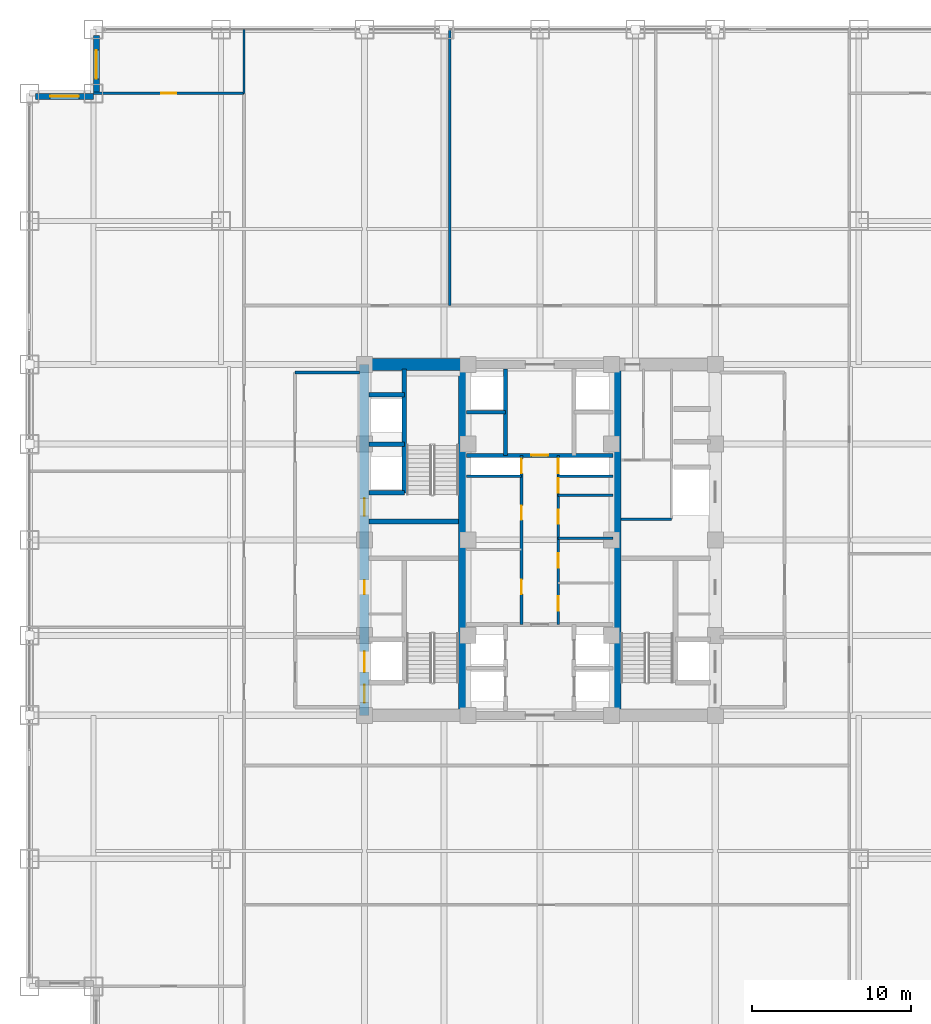
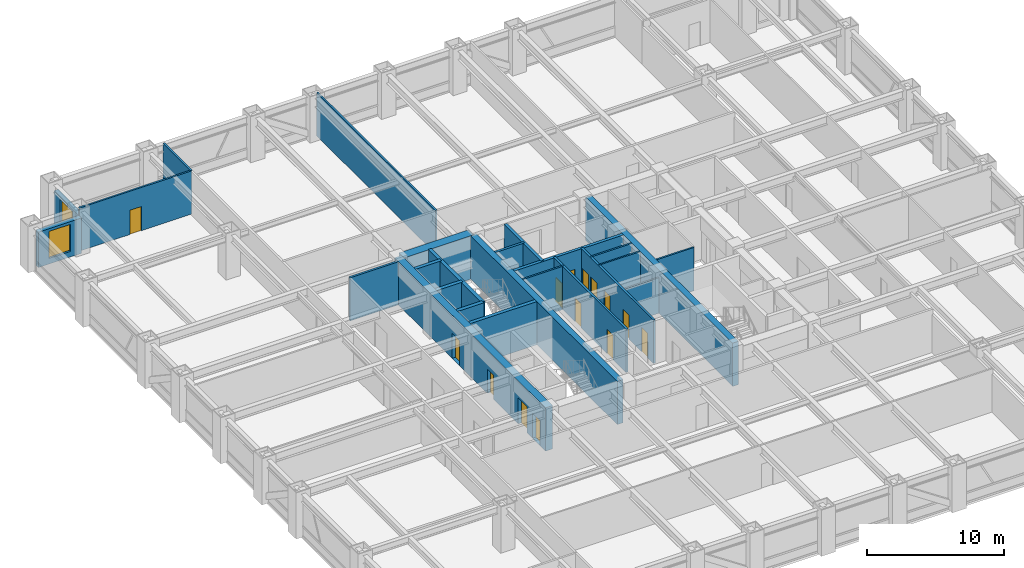
# One storey, part 25 of 28: 25 walls, 14 doors, 2 windows, 16 openings.
"""IFC4 building model written with IfcOpenShell, lengths in metres."""

from ifc_helpers import new_model, si_unit, direction, frame, frame_2d, origin, place, context, subcontext, project, spatial, rectangle, extrude, source, transform, mapped, material, layer, layer_set, type_object, element, fill, save


model = new_model("IFC4")

# Units and contexts
model_context = context("Model", 3, precision=1e-05, world=origin(), true_north=direction((0.0, 1.0)))
body_context = subcontext(model_context, "Body", "Model", "MODEL_VIEW")
ifc_project = project(units=[si_unit("LENGTHUNIT", "METRE"), si_unit("AREAUNIT", "SQUARE_METRE"), si_unit("VOLUMEUNIT", "CUBIC_METRE"), si_unit("PLANEANGLEUNIT", "RADIAN"), si_unit("MASSUNIT", "GRAM", prefix="KILO")], contexts=[model_context])

# Site, building, storey
site_placement = place(None, origin())
site = spatial("IfcSite", under=ifc_project, at=site_placement, CompositionType="ELEMENT")
building_placement = place(site_placement, origin())
building = spatial("IfcBuilding", under=site, at=building_placement, Name="Khorayat Bourse Tower", CompositionType="ELEMENT")
storey_placement = place(building_placement, frame((0.0, 0.0, 116.0)))
storey = spatial("IfcBuildingStorey", under=building, at=storey_placement, Name="L26", CompositionType="ELEMENT", Elevation=116.0)

# Wall, openings, doors
ifc_material_1 = material(Name="Concrete C60/75", Category="concrete")
ifc_layer_1 = layer(ifc_material_1, 0.60009765625)
ifc_layer_set_1 = layer_set([ifc_layer_1], Name="Concrete C60/75")
wall_type_1 = type_object("IfcWallType", Name="WAL-CORE-600", PredefinedType="SHEAR", material=ifc_layer_set_1)
shared_shape_1 = source(origin(), body_context, "Body", "SweptSolid", [
    extrude(rectangle(XDim=22.0, YDim=0.60009765625, at=frame_2d((11.0, 0.0))), origin(), (0.0, 0.0, 1.0), 3.840087890625),
])
wall_1_placement = place(storey_placement, frame((-11.0, -11.0, 0.0), z_axis=(0.0, 0.0, 1.0), x_axis=(0.0, 1.0, 0.0)))
wall_1 = element("IfcWall", 1, at=wall_1_placement, inside=storey, type_object=wall_type_1, Name="L26 Core Shear Wall CORE-W", PredefinedType="SHEAR", context=body_context, shape_type="MappedRepresentation", body=[
    mapped(shared_shape_1, transform((0.0, 0.0, 0.0), scale=1.0)),
])
shared_shape_2 = source(origin(), body_context, "Body", "SweptSolid", [
    extrude(rectangle(XDim=1.10009765625, YDim=2.199951171875, at=frame_2d((0.550048828125, 1.10009765625))), frame((0.0, 0.31005859375, 0.0), z_axis=(0.0, -1.0, 0.0), x_axis=(1.0, 0.0, 0.0)), (0.0, 0.0, 1.0), 0.6201171875),
])
opening_1_placement = place(wall_1_placement, frame((0.800048828125, 0.0, 0.0)))
opening_1 = element("IfcOpeningElement", 2, at=opening_1_placement, cuts=wall_1, Name="Opening DI-01", PredefinedType="OPENING", context=body_context, shape_type="MappedRepresentation", body=[
    mapped(shared_shape_2, transform((0.0, 0.0, 0.0), scale=1.0)),
])
opening_2_placement = place(wall_1_placement, frame((12.5, 0.0, 0.0)))
opening_2 = element("IfcOpeningElement", 3, at=opening_2_placement, cuts=wall_1, Name="Opening DI-01", PredefinedType="OPENING", context=body_context, shape_type="MappedRepresentation", body=[
    mapped(shared_shape_2, transform((0.0, 0.0, 0.0), scale=1.0)),
])
shared_shape_3 = source(origin(), body_context, "Body", "SweptSolid", [
    extrude(rectangle(XDim=0.89990234375, YDim=2.14990234375, at=frame_2d((0.449951171875, 1.074951171875))), frame((0.0, 0.31005859375, 0.0), z_axis=(0.0, -1.0, 0.0), x_axis=(1.0, 0.0, 0.0)), (0.0, 0.0, 1.0), 0.6201171875),
])
opening_3_placement = place(wall_1_placement, frame((7.574951171875, 0.0, 0.0)))
opening_3 = element("IfcOpeningElement", 4, at=opening_3_placement, cuts=wall_1, Name="Opening DI-06", PredefinedType="OPENING", context=body_context, shape_type="MappedRepresentation", body=[
    mapped(shared_shape_3, transform((0.0, 0.0, 0.0), scale=1.0)),
])
shared_shape_4 = source(origin(), body_context, "Body", "SweptSolid", [
    extrude(rectangle(XDim=1.300048828125, YDim=2.300048828125, at=frame_2d((0.64990234375, 1.14990234375))), frame((0.0, 0.31005859375, 0.0), z_axis=(0.0, -1.0, 0.0), x_axis=(1.0, 0.0, 0.0)), (0.0, 0.0, 1.0), 0.6201171875),
])
opening_4_placement = place(wall_1_placement, frame((2.699951171875, 0.0, 0.0)))
opening_4 = element("IfcOpeningElement", 5, at=opening_4_placement, cuts=wall_1, Name="Opening LD-02", PredefinedType="OPENING", context=body_context, shape_type="MappedRepresentation", body=[
    mapped(shared_shape_4, transform((0.0, 0.0, 0.0), scale=1.0)),
])
ifc_material_2 = material(Name="Fire-rated steel acoustic leaf", Category="steel")
door_type_1 = type_object("IfcDoorType", Name="DR-INT-STAIR-1100", OperationType="NOTDEFINED", PredefinedType="DOOR", material=ifc_material_2)
shared_shape_5 = source(origin(), body_context, "Body", "SweptSolid", [
    extrude(rectangle(XDim=1.10009765625, YDim=2.199951171875, at=frame_2d((0.550048828125, 1.10009765625))), frame((0.0, 0.02490234375, 0.0), z_axis=(0.0, -1.0, 0.0), x_axis=(1.0, 0.0, 0.0)), (0.0, 0.0, 1.0), 0.050048828125),
])
door_1_placement = place(opening_1_placement, origin())
door_1 = element("IfcDoor", 6, at=door_1_placement, inside=storey, type_object=door_type_1, Name="L26 Exit Stair 1 Door", OperationType="SINGLE_SWING_RIGHT", OverallHeight=2.199951171875, OverallWidth=1.10009765625, PredefinedType="DOOR", context=body_context, shape_type="MappedRepresentation", body=[
    mapped(shared_shape_5, transform((0.0, 0.0, 0.0), scale=1.0)),
])
fill(opening_1, door_1)
door_2_placement = place(opening_2_placement, origin())
door_2 = element("IfcDoor", 7, at=door_2_placement, inside=storey, type_object=door_type_1, Name="L26 Exit Stair 2 Door", OperationType="SINGLE_SWING_RIGHT", OverallHeight=2.199951171875, OverallWidth=1.10009765625, PredefinedType="DOOR", context=body_context, shape_type="MappedRepresentation", body=[
    mapped(shared_shape_5, transform((0.0, 0.0, 0.0), scale=1.0)),
])
fill(opening_2, door_2)
ifc_material_3 = material(Name="Moisture-resistant laminate washroom door")
door_type_2 = type_object("IfcDoorType", Name="DR-INT-WC-900", OperationType="NOTDEFINED", PredefinedType="DOOR", material=ifc_material_3)
shared_shape_6 = source(origin(), body_context, "Body", "SweptSolid", [
    extrude(rectangle(XDim=0.89990234375, YDim=2.14990234375, at=frame_2d((0.449951171875, 1.074951171875))), frame((0.0, 0.02490234375, 0.0), z_axis=(0.0, -1.0, 0.0), x_axis=(1.0, 0.0, 0.0)), (0.0, 0.0, 1.0), 0.050048828125),
])
door_3_placement = place(opening_3_placement, origin())
door_3 = element("IfcDoor", 8, at=door_3_placement, inside=storey, type_object=door_type_2, Name="L26 UPS Switch Plant Room Door", OperationType="SINGLE_SWING_RIGHT", OverallHeight=2.14990234375, OverallWidth=0.89990234375, PredefinedType="DOOR", context=body_context, shape_type="MappedRepresentation", body=[
    mapped(shared_shape_6, transform((0.0, 0.0, 0.0), scale=1.0)),
])
fill(opening_3, door_3)
ifc_material_4 = material(Name="Fire-rated stainless-steel sliding landing door", Category="steel")
door_type_3 = type_object("IfcDoorType", Name="DR-LIFT-FF-1300", OperationType="NOTDEFINED", PredefinedType="DOOR", material=ifc_material_4)
shared_shape_7 = source(origin(), body_context, "Body", "SweptSolid", [
    extrude(rectangle(XDim=1.300048828125, YDim=2.300048828125, at=frame_2d((0.64990234375, 1.14990234375))), frame((0.0, 0.02490234375, 0.0), z_axis=(0.0, -1.0, 0.0), x_axis=(1.0, 0.0, 0.0)), (0.0, 0.0, 1.0), 0.050048828125),
])
door_4_placement = place(opening_4_placement, origin())
door_4 = element("IfcDoor", 9, at=door_4_placement, inside=storey, type_object=door_type_3, Name="L26 Lift FFL-01 Sliding Landing Door", OperationType="SLIDING_TO_LEFT", OverallHeight=2.300048828125, OverallWidth=1.300048828125, PredefinedType="DOOR", context=body_context, shape_type="MappedRepresentation", body=[
    mapped(shared_shape_7, transform((0.0, 0.0, 0.0), scale=1.0)),
])
fill(opening_4, door_4)

# Walls
ifc_material_5 = material(Name="Concrete C52/65", Category="concrete")
ifc_layer_2 = layer(ifc_material_5, 0.5)
ifc_layer_set_2 = layer_set([ifc_layer_2], Name="Concrete C52/65")
wall_type_2 = type_object("IfcWallType", Name="WAL-CORE-500", PredefinedType="SHEAR", material=ifc_layer_set_2)
shared_shape_8 = source(origin(), body_context, "Body", "SweptSolid", [
    extrude(rectangle(XDim=21.39990234375, YDim=0.5, at=frame_2d((10.699951171875, 0.0))), origin(), (0.0, 0.0, 1.0), 3.840087890625),
])
for number, where, z_axis, x_axis, name in (
    (10, (-4.85009765625, -10.699951171875, 0.0), (0.0, 0.0, 1.0), (0.0, 1.0, 0.0), "L26 Core Shear Wall PIER-W"),
    (11, (4.85009765625, -10.699951171875, 0.0), (0.0, 0.0, 1.0), (0.0, 1.0, 0.0), "L26 Core Shear Wall PIER-E"),
):
    element("IfcWall", number, at=place(storey_placement, frame(where, z_axis=z_axis, x_axis=x_axis)), inside=storey, type_object=wall_type_2, Name=name, PredefinedType="SHEAR", context=body_context, shape_type="MappedRepresentation", body=[
        mapped(shared_shape_8, transform((0.0, 0.0, 0.0), scale=1.0)),
    ])
ifc_material_6 = material(Name="Concrete C72/90", Category="concrete")
ifc_layer_3 = layer(ifc_material_6, 0.75)
ifc_layer_set_3 = layer_set([ifc_layer_3], Name="Concrete C72/90")
wall_type_3 = type_object("IfcWallType", Name="WAL-CORE-750", PredefinedType="SHEAR", material=ifc_layer_set_3)
shared_shape_9 = source(origin(), body_context, "Body", "SweptSolid", [
    extrude(rectangle(XDim=5.849853515625, YDim=0.75, at=frame_2d((2.9248046875, 0.0))), origin(), (0.0, 0.0, 1.0), 3.840087890625),
])
wall_2_placement = place(storey_placement, frame((-10.699951171875, 11.0, 0.0), z_axis=(0.0, 0.0, 1.0), x_axis=(1.0, 0.0, 0.0)))
element("IfcWall", 12, at=wall_2_placement, inside=storey, type_object=wall_type_3, Name="L26 Core Shear Wall PIER-WN", PredefinedType="SHEAR", context=body_context, shape_type="MappedRepresentation", body=[
    mapped(shared_shape_9, transform((0.0, 0.0, 0.0), scale=1.0)),
])
ifc_material_7 = material(Name="Concrete C50/60", Category="concrete")
ifc_layer_4 = layer(ifc_material_7, 0.300048828125)
ifc_layer_set_4 = layer_set([ifc_layer_4], Name="Concrete C50/60")
wall_type_4 = type_object("IfcWallType", Name="WAL-SHAFT-300", PredefinedType="SHEAR", material=ifc_layer_set_4)
shared_shape_10 = source(origin(), body_context, "Body", "SweptSolid", [
    extrude(rectangle(XDim=5.599853515625, YDim=0.300048828125, at=frame_2d((2.7998046875, 0.0))), origin(), (0.0, 0.0, 1.0), 3.840087890625),
])
wall_3_placement = place(storey_placement, frame((-10.699951171875, 1.14990234375, 0.0), z_axis=(0.0, 0.0, 1.0), x_axis=(1.0, 0.0, 0.0)))
element("IfcWall", 13, at=wall_3_placement, inside=storey, type_object=wall_type_4, Name="L26 Core Shear Wall ST2-DIV", PredefinedType="SHEAR", context=body_context, shape_type="MappedRepresentation", body=[
    mapped(shared_shape_10, transform((0.0, 0.0, 0.0), scale=1.0)),
])

# Wall, opening, window
ifc_material_8 = material(Name="Precast concrete C45/55", Category="concrete")
ifc_layer_5 = layer(ifc_material_8, 0.3798828125)
ifc_layer_set_5 = layer_set([ifc_layer_5], Name="Precast concrete C45/55")
wall_type_5 = type_object("IfcWallType", Name="WAL-EXT-STONE-380", PredefinedType="STANDARD", material=ifc_layer_set_5)
shared_shape_11 = source(origin(), body_context, "Body", "SweptSolid", [
    extrude(rectangle(XDim=3.6201171875, YDim=0.3798828125, at=frame_2d((1.81005859375, 0.0))), origin(), (0.0, 0.0, 1.0), 3.14501953125),
])
wall_4_placement = place(storey_placement, frame((-27.81005859375, 28.0, 0.0), z_axis=(0.0, 0.0, 1.0), x_axis=(0.0, 1.0, 0.0)))
wall_4 = element("IfcWall", 14, at=wall_4_placement, inside=storey, type_object=wall_type_5, Name="L26 Re-Entrant Notch Limestone Wall NW-V", PredefinedType="STANDARD", context=body_context, shape_type="MappedRepresentation", body=[
    mapped(shared_shape_11, transform((0.0, 0.0, 0.0), scale=1.0)),
])
shared_shape_12 = source(origin(), body_context, "Body", "SweptSolid", [
    extrude(rectangle(XDim=1.800048828125, YDim=2.39990234375, at=frame_2d((0.89990234375, 1.199951171875))), frame((0.0, 0.199951171875, 0.0), z_axis=(0.0, -1.0, 0.0), x_axis=(1.0, 0.0, 0.0)), (0.0, 0.0, 1.0), 0.39990234375),
])
opening_5_placement = place(wall_4_placement, frame((0.909912109375, 0.0, 0.5)))
opening_5 = element("IfcOpeningElement", 15, at=opening_5_placement, cuts=wall_4, Name="Opening WN-04", PredefinedType="OPENING", context=body_context, shape_type="MappedRepresentation", body=[
    mapped(shared_shape_12, transform((0.0, 0.0, 0.0), scale=1.0)),
])
ifc_material_9 = material(Name="Low-E acoustic laminated double glazing", Category="glass")
window_type = type_object("IfcWindowType", Name="WIN-NOTCH-1800x2400", PartitioningType="SINGLE_PANEL", PredefinedType="WINDOW", material=ifc_material_9)
shared_shape_13 = source(origin(), body_context, "Body", "SweptSolid", [
    extrude(rectangle(XDim=1.800048828125, YDim=2.39990234375, at=frame_2d((0.89990234375, 1.199951171875))), frame((0.0, 0.030029296875, 0.0), z_axis=(0.0, -1.0, 0.0), x_axis=(1.0, 0.0, 0.0)), (0.0, 0.0, 1.0), 0.06005859375),
])
window_1_placement = place(opening_5_placement, origin())
window_1 = element("IfcWindow", 16, at=window_1_placement, inside=storey, type_object=window_type, Name="L26 Facade Window 1", OverallHeight=2.39990234375, OverallWidth=1.800048828125, PartitioningType="SINGLE_PANEL", PredefinedType="WINDOW", context=body_context, shape_type="MappedRepresentation", body=[
    mapped(shared_shape_13, transform((0.0, 0.0, 0.0), scale=1.0)),
])
fill(opening_5, window_1)

wall_5_placement = place(storey_placement, frame((-28.0, 27.81005859375, 0.0), z_axis=(0.0, 0.0, 1.0), x_axis=(-1.0, 0.0, 0.0)))
wall_5 = element("IfcWall", 17, at=wall_5_placement, inside=storey, type_object=wall_type_5, Name="L26 Re-Entrant Notch Limestone Wall NW-H", PredefinedType="STANDARD", context=body_context, shape_type="MappedRepresentation", body=[
    mapped(shared_shape_11, transform((0.0, 0.0, 0.0), scale=1.0)),
])
opening_6_placement = place(wall_5_placement, frame((0.909912109375, 0.0, 0.5)))
opening_6 = element("IfcOpeningElement", 18, at=opening_6_placement, cuts=wall_5, Name="Opening WN-04", PredefinedType="OPENING", context=body_context, shape_type="MappedRepresentation", body=[
    mapped(shared_shape_12, transform((0.0, 0.0, 0.0), scale=1.0)),
])
window_2_placement = place(opening_6_placement, origin())
window_2 = element("IfcWindow", 19, at=window_2_placement, inside=storey, type_object=window_type, Name="L26 Facade Window 1", OverallHeight=2.39990234375, OverallWidth=1.800048828125, PartitioningType="SINGLE_PANEL", PredefinedType="WINDOW", context=body_context, shape_type="MappedRepresentation", body=[
    mapped(shared_shape_13, transform((0.0, 0.0, 0.0), scale=1.0)),
])
fill(opening_6, window_2)

# Walls
shared_shape_14 = source(origin(), body_context, "Body", "SweptSolid", [
    extrude(rectangle(XDim=2.199951171875, YDim=0.300048828125, at=frame_2d((1.10009765625, 0.0))), origin(), (0.0, 0.0, 1.0), 3.840087890625),
])
for number, where, z_axis, x_axis, name in (
    (20, (-10.699951171875, 2.949951171875, 0.0), (0.0, 0.0, 1.0), (1.0, 0.0, 0.0), "L26 Partition WAL-L26-WPIER-H1S"),
    (21, (-10.699951171875, 6.0, 0.0), (0.0, 0.0, 1.0), (1.0, 0.0, 0.0), "L26 Partition WAL-L26-WPIER-H12"),
    (22, (-10.699951171875, 9.10009765625, 0.0), (0.0, 0.0, 1.0), (1.0, 0.0, 0.0), "L26 Partition WAL-L26-WPIER-H2N"),
):
    element("IfcWall", number, at=place(storey_placement, frame(where, z_axis=z_axis, x_axis=x_axis)), inside=storey, type_object=wall_type_4, Name=name, PredefinedType="SHEAR", context=body_context, shape_type="MappedRepresentation", body=[
        mapped(shared_shape_14, transform((0.0, 0.0, 0.0), scale=1.0)),
    ])
shared_shape_15 = source(origin(), body_context, "Body", "SweptSolid", [
    extrude(rectangle(XDim=7.75, YDim=0.300048828125, at=frame_2d((3.875, 0.0))), origin(), (0.0, 0.0, 1.0), 3.840087890625),
])
wall_6_placement = place(storey_placement, frame((-8.5, 2.949951171875, 0.0), z_axis=(0.0, 0.0, 1.0), x_axis=(0.0, 1.0, 0.0)))
element("IfcWall", 23, at=wall_6_placement, inside=storey, type_object=wall_type_4, Name="L26 Partition WAL-L26-WPIER-ST2S", PredefinedType="SHEAR", context=body_context, shape_type="MappedRepresentation", body=[
    mapped(shared_shape_15, transform((0.0, 0.0, 0.0), scale=1.0)),
])
ifc_material_10 = material(Name="Moisture-resistant masonry partition", Category="masonry")
ifc_layer_6 = layer(ifc_material_10, 0.139892578125)
ifc_layer_set_6 = layer_set([ifc_layer_6], Name="Moisture-resistant masonry partition")
wall_type_6 = type_object("IfcWallType", Name="WAL-PART-WET-140", PredefinedType="PARTITIONING", material=ifc_layer_set_6)
shared_shape_16 = source(origin(), body_context, "Body", "SweptSolid", [
    extrude(rectangle(XDim=3.14990234375, YDim=0.139892578125, at=frame_2d((1.574951171875, 0.0))), origin(), (0.0, 0.0, 1.0), 3.840087890625),
])
wall_7_placement = place(storey_placement, frame((5.10009765625, 1.300048828125, 0.0), z_axis=(0.0, 0.0, 1.0), x_axis=(1.0, 0.0, 0.0)))
element("IfcWall", 24, at=wall_7_placement, inside=storey, type_object=wall_type_6, Name="L26 Partition WAL-L26-ECORE-S", PredefinedType="PARTITIONING", context=body_context, shape_type="MappedRepresentation", body=[
    mapped(shared_shape_16, transform((0.0, 0.0, 0.0), scale=1.0)),
])
ifc_material_11 = material(Name="Gypsum plasterboard acoustic stud wall")
ifc_layer_7 = layer(ifc_material_11, 0.179931640625)
ifc_layer_set_7 = layer_set([ifc_layer_7], Name="Gypsum plasterboard acoustic stud wall")
wall_type_7 = type_object("IfcWallType", Name="WAL-PART-CORR-180", PredefinedType="PARTITIONING", material=ifc_layer_set_7)
shared_shape_17 = source(origin(), body_context, "Body", "SweptSolid", [
    extrude(rectangle(XDim=4.050048828125, YDim=0.179931640625, at=frame_2d((2.02490234375, 0.0))), origin(), (0.0, 0.0, 1.0), 3.840087890625),
])
wall_8_placement = place(storey_placement, frame((-15.35009765625, 10.5, 0.0), z_axis=(0.0, 0.0, 1.0), x_axis=(1.0, 0.0, 0.0)))
element("IfcWall", 25, at=wall_8_placement, inside=storey, type_object=wall_type_7, Name="L26 Partition WAL-L26-WLOB-N", PredefinedType="PARTITIONING", context=body_context, shape_type="MappedRepresentation", body=[
    mapped(shared_shape_17, transform((0.0, 0.0, 0.0), scale=1.0)),
])
ifc_material_12 = material(Name="Gypsum plasterboard twin-frame partition")
ifc_layer_8 = layer(ifc_material_12, 0.14990234375)
ifc_layer_set_8 = layer_set([ifc_layer_8], Name="Gypsum plasterboard twin-frame partition")
wall_type_8 = type_object("IfcWallType", Name="WAL-PART-SUITE-150", PredefinedType="PARTITIONING", material=ifc_layer_set_8)
shared_shape_18 = source(origin(), body_context, "Body", "SweptSolid", [
    extrude(rectangle(XDim=3.4501953125, YDim=0.14990234375, at=frame_2d((1.72509765625, 0.0))), origin(), (0.0, 0.0, 1.0), 3.840087890625),
])
for number, where, z_axis, x_axis, name in (
    (26, (-4.60009765625, 4.0, 0.0), (0.0, 0.0, 1.0), (1.0, 0.0, 0.0), "L26 Partition WAL-L26-CRSW-S"),
    (27, (1.14990234375, 4.0, 0.0), (0.0, 0.0, 1.0), (1.0, 0.0, 0.0), "L26 Partition WAL-L26-CRSE-S"),
):
    element("IfcWall", number, at=place(storey_placement, frame(where, z_axis=z_axis, x_axis=x_axis)), inside=storey, type_object=wall_type_8, Name=name, PredefinedType="PARTITIONING", context=body_context, shape_type="MappedRepresentation", body=[
        mapped(shared_shape_18, transform((0.0, 0.0, 0.0), scale=1.0)),
    ])
shared_shape_19 = source(origin(), body_context, "Body", "SweptSolid", [
    extrude(rectangle(XDim=5.39990234375, YDim=0.25, at=frame_2d((2.699951171875, 0.0))), origin(), (0.0, 0.0, 1.0), 3.840087890625),
])
wall_9_placement = place(storey_placement, frame((-2.14990234375, 5.300048828125, 0.0), z_axis=(0.0, 0.0, 1.0), x_axis=(0.0, 1.0, 0.0)))
element("IfcWall", 28, at=wall_9_placement, inside=storey, type_object=wall_type_4, Name="L26 Partition WAL-L26-B2-W", PredefinedType="SHEAR", context=body_context, shape_type="MappedRepresentation", body=[
    mapped(shared_shape_19, transform((0.0, 0.0, 0.0), scale=1.0)),
])
shared_shape_20 = source(origin(), body_context, "Body", "SweptSolid", [
    extrude(rectangle(XDim=2.4501953125, YDim=0.199951171875, at=frame_2d((1.22509765625, 0.0))), origin(), (0.0, 0.0, 1.0), 3.840087890625),
])
wall_10_placement = place(storey_placement, frame((-4.60009765625, 8.0, 0.0), z_axis=(0.0, 0.0, 1.0), x_axis=(1.0, 0.0, 0.0)))
element("IfcWall", 29, at=wall_10_placement, inside=storey, type_object=wall_type_4, Name="L26 Partition WAL-L26-B2-MW", PredefinedType="SHEAR", context=body_context, shape_type="MappedRepresentation", body=[
    mapped(shared_shape_20, transform((0.0, 0.0, 0.0), scale=1.0)),
])

# Wall, opening, door
shared_shape_21 = source(origin(), body_context, "Body", "SweptSolid", [
    extrude(rectangle(XDim=9.2001953125, YDim=0.25, at=frame_2d((4.60009765625, 0.0))), origin(), (0.0, 0.0, 1.0), 3.840087890625),
])
wall_11_placement = place(storey_placement, frame((-4.60009765625, 5.300048828125, 0.0), z_axis=(0.0, 0.0, 1.0), x_axis=(1.0, 0.0, 0.0)))
wall_11 = element("IfcWall", 30, at=wall_11_placement, inside=storey, type_object=wall_type_4, Name="L26 Partition WAL-L26-B2-S", PredefinedType="SHEAR", context=body_context, shape_type="MappedRepresentation", body=[
    mapped(shared_shape_21, transform((0.0, 0.0, 0.0), scale=1.0)),
])
shared_shape_22 = source(origin(), body_context, "Body", "SweptSolid", [
    extrude(rectangle(XDim=1.050048828125, YDim=2.199951171875, at=frame_2d((0.52490234375, 1.10009765625))), frame((0.0, 0.135009765625, 0.0), z_axis=(0.0, -1.0, 0.0), x_axis=(1.0, 0.0, 0.0)), (0.0, 0.0, 1.0), 0.27001953125),
])
opening_7_placement = place(wall_11_placement, frame((4.074951171875, 0.0, 0.0)))
opening_7 = element("IfcOpeningElement", 31, at=opening_7_placement, cuts=wall_11, Name="Opening DI-04", PredefinedType="OPENING", context=body_context, shape_type="MappedRepresentation", body=[
    mapped(shared_shape_22, transform((0.0, 0.0, 0.0), scale=1.0)),
])
ifc_material_13 = material(Name="Fire-rated oak veneer suite entrance door")
door_type_4 = type_object("IfcDoorType", Name="DR-INT-SUITE-1050", OperationType="NOTDEFINED", PredefinedType="DOOR", material=ifc_material_13)
shared_shape_23 = source(origin(), body_context, "Body", "SweptSolid", [
    extrude(rectangle(XDim=1.050048828125, YDim=2.199951171875, at=frame_2d((0.52490234375, 1.10009765625))), frame((0.0, 0.02490234375, 0.0), z_axis=(0.0, -1.0, 0.0), x_axis=(1.0, 0.0, 0.0)), (0.0, 0.0, 1.0), 0.050048828125),
])
door_5_placement = place(opening_7_placement, origin())
door_5 = element("IfcDoor", 32, at=door_5_placement, inside=storey, type_object=door_type_4, Name="L26 Core Spine North Door", OperationType="SINGLE_SWING_RIGHT", OverallHeight=2.199951171875, OverallWidth=1.050048828125, PredefinedType="DOOR", context=body_context, shape_type="MappedRepresentation", body=[
    mapped(shared_shape_23, transform((0.0, 0.0, 0.0), scale=1.0)),
])
fill(opening_7, door_5)

# Wall, openings, doors
shared_shape_24 = source(origin(), body_context, "Body", "SweptSolid", [
    extrude(rectangle(XDim=10.60009765625, YDim=0.179931640625, at=frame_2d((5.300048828125, 0.0))), origin(), (0.0, 0.0, 1.0), 3.840087890625),
])
wall_12_placement = place(storey_placement, frame((-1.14990234375, -5.300048828125, 0.0), z_axis=(0.0, 0.0, 1.0), x_axis=(0.0, 1.0, 0.0)))
wall_12 = element("IfcWall", 33, at=wall_12_placement, inside=storey, type_object=wall_type_7, Name="L26 Partition WAL-L26-CMW-L", PredefinedType="PARTITIONING", context=body_context, shape_type="MappedRepresentation", body=[
    mapped(shared_shape_24, transform((0.0, 0.0, 0.0), scale=1.0)),
])
shared_shape_25 = source(origin(), body_context, "Body", "SweptSolid", [
    extrude(rectangle(XDim=0.89990234375, YDim=2.14990234375, at=frame_2d((0.449951171875, 1.074951171875))), frame((0.0, 0.099853515625, 0.0), z_axis=(0.0, -1.0, 0.0), x_axis=(1.0, 0.0, 0.0)), (0.0, 0.0, 1.0), 0.199951171875),
])
opening_8_placement = place(wall_12_placement, frame((1.89990234375, 0.0, 0.0)))
opening_8 = element("IfcOpeningElement", 34, at=opening_8_placement, cuts=wall_12, Name="Opening DI-06", PredefinedType="OPENING", context=body_context, shape_type="MappedRepresentation", body=[
    mapped(shared_shape_25, transform((0.0, 0.0, 0.0), scale=1.0)),
])
opening_9_placement = place(wall_12_placement, frame((6.550048828125, 0.0, 0.0)))
opening_9 = element("IfcOpeningElement", 35, at=opening_9_placement, cuts=wall_12, Name="Opening DI-06", PredefinedType="OPENING", context=body_context, shape_type="MappedRepresentation", body=[
    mapped(shared_shape_25, transform((0.0, 0.0, 0.0), scale=1.0)),
])
opening_10_placement = place(wall_12_placement, frame((9.47509765625, 0.0, 0.0)))
opening_10 = element("IfcOpeningElement", 36, at=opening_10_placement, cuts=wall_12, Name="Opening DI-06", PredefinedType="OPENING", context=body_context, shape_type="MappedRepresentation", body=[
    mapped(shared_shape_25, transform((0.0, 0.0, 0.0), scale=1.0)),
])
door_6_placement = place(opening_8_placement, origin())
door_6 = element("IfcDoor", 37, at=door_6_placement, inside=storey, type_object=door_type_2, Name="L26 Male Core Washroom Door", OperationType="SINGLE_SWING_RIGHT", OverallHeight=2.14990234375, OverallWidth=0.89990234375, PredefinedType="DOOR", context=body_context, shape_type="MappedRepresentation", body=[
    mapped(shared_shape_6, transform((0.0, 0.0, 0.0), scale=1.0)),
])
fill(opening_8, door_6)
door_7_placement = place(opening_9_placement, origin())
door_7 = element("IfcDoor", 38, at=door_7_placement, inside=storey, type_object=door_type_2, Name="L26 Chilled Water Riser Plant Room Door", OperationType="SINGLE_SWING_LEFT", OverallHeight=2.14990234375, OverallWidth=0.89990234375, PredefinedType="DOOR", context=body_context, shape_type="MappedRepresentation", body=[
    mapped(shared_shape_6, transform((0.0, 0.0, 0.0), scale=1.0)),
])
fill(opening_9, door_7)
door_8_placement = place(opening_10_placement, origin())
door_8 = element("IfcDoor", 39, at=door_8_placement, inside=storey, type_object=door_type_2, Name="L26 West Core Riser Door", OperationType="SINGLE_SWING_LEFT", OverallHeight=2.14990234375, OverallWidth=0.89990234375, PredefinedType="DOOR", context=body_context, shape_type="MappedRepresentation", body=[
    mapped(shared_shape_6, transform((0.0, 0.0, 0.0), scale=1.0)),
])
fill(opening_10, door_8)

wall_13_placement = place(storey_placement, frame((1.14990234375, -5.300048828125, 0.0), z_axis=(0.0, 0.0, 1.0), x_axis=(0.0, 1.0, 0.0)))
wall_13 = element("IfcWall", 40, at=wall_13_placement, inside=storey, type_object=wall_type_7, Name="L26 Partition WAL-L26-CME-L", PredefinedType="PARTITIONING", context=body_context, shape_type="MappedRepresentation", body=[
    mapped(shared_shape_24, transform((0.0, 0.0, 0.0), scale=1.0)),
])
opening_11_placement = place(wall_13_placement, frame((0.85009765625, 0.0, 0.0)))
opening_11 = element("IfcOpeningElement", 41, at=opening_11_placement, cuts=wall_13, Name="Opening DI-06", PredefinedType="OPENING", context=body_context, shape_type="MappedRepresentation", body=[
    mapped(shared_shape_25, transform((0.0, 0.0, 0.0), scale=1.0)),
])
opening_12_placement = place(wall_13_placement, frame((3.550048828125, 0.0, 0.0)))
opening_12 = element("IfcOpeningElement", 42, at=opening_12_placement, cuts=wall_13, Name="Opening DI-06", PredefinedType="OPENING", context=body_context, shape_type="MappedRepresentation", body=[
    mapped(shared_shape_25, transform((0.0, 0.0, 0.0), scale=1.0)),
])
opening_13_placement = place(wall_13_placement, frame((6.300048828125, 0.0, 0.0)))
opening_13 = element("IfcOpeningElement", 43, at=opening_13_placement, cuts=wall_13, Name="Opening DI-06", PredefinedType="OPENING", context=body_context, shape_type="MappedRepresentation", body=[
    mapped(shared_shape_25, transform((0.0, 0.0, 0.0), scale=1.0)),
])
opening_14_placement = place(wall_13_placement, frame((8.25, 0.0, 0.0)))
opening_14 = element("IfcOpeningElement", 44, at=opening_14_placement, cuts=wall_13, Name="Opening DI-06", PredefinedType="OPENING", context=body_context, shape_type="MappedRepresentation", body=[
    mapped(shared_shape_25, transform((0.0, 0.0, 0.0), scale=1.0)),
])
opening_15_placement = place(wall_13_placement, frame((9.47509765625, 0.0, 0.0)))
opening_15 = element("IfcOpeningElement", 45, at=opening_15_placement, cuts=wall_13, Name="Opening DI-06", PredefinedType="OPENING", context=body_context, shape_type="MappedRepresentation", body=[
    mapped(shared_shape_25, transform((0.0, 0.0, 0.0), scale=1.0)),
])
door_9_placement = place(opening_11_placement, origin())
door_9 = element("IfcDoor", 46, at=door_9_placement, inside=storey, type_object=door_type_2, Name="L26 Female Core Washroom Door", OperationType="SINGLE_SWING_RIGHT", OverallHeight=2.14990234375, OverallWidth=0.89990234375, PredefinedType="DOOR", context=body_context, shape_type="MappedRepresentation", body=[
    mapped(shared_shape_6, transform((0.0, 0.0, 0.0), scale=1.0)),
])
fill(opening_11, door_9)
door_10_placement = place(opening_12_placement, origin())
door_10 = element("IfcDoor", 47, at=door_10_placement, inside=storey, type_object=door_type_2, Name="L26 Comms Patch Room Door", OperationType="SINGLE_SWING_LEFT", OverallHeight=2.14990234375, OverallWidth=0.89990234375, PredefinedType="DOOR", context=body_context, shape_type="MappedRepresentation", body=[
    mapped(shared_shape_6, transform((0.0, 0.0, 0.0), scale=1.0)),
])
fill(opening_12, door_10)
door_11_placement = place(opening_13_placement, origin())
door_11 = element("IfcDoor", 48, at=door_11_placement, inside=storey, type_object=door_type_2, Name="L26 Janitor Cupboard Door", OperationType="SINGLE_SWING_RIGHT", OverallHeight=2.14990234375, OverallWidth=0.89990234375, PredefinedType="DOOR", context=body_context, shape_type="MappedRepresentation", body=[
    mapped(shared_shape_6, transform((0.0, 0.0, 0.0), scale=1.0)),
])
fill(opening_13, door_11)
door_12_placement = place(opening_14_placement, origin())
door_12 = element("IfcDoor", 49, at=door_12_placement, inside=storey, type_object=door_type_2, Name="L26 Fire Valve Plant Room Door", OperationType="SINGLE_SWING_LEFT", OverallHeight=2.14990234375, OverallWidth=0.89990234375, PredefinedType="DOOR", context=body_context, shape_type="MappedRepresentation", body=[
    mapped(shared_shape_6, transform((0.0, 0.0, 0.0), scale=1.0)),
])
fill(opening_14, door_12)
door_13_placement = place(opening_15_placement, origin())
door_13 = element("IfcDoor", 50, at=door_13_placement, inside=storey, type_object=door_type_2, Name="L26 East Core Riser Door", OperationType="SINGLE_SWING_RIGHT", OverallHeight=2.14990234375, OverallWidth=0.89990234375, PredefinedType="DOOR", context=body_context, shape_type="MappedRepresentation", body=[
    mapped(shared_shape_6, transform((0.0, 0.0, 0.0), scale=1.0)),
])
fill(opening_15, door_13)

# Walls
shared_shape_26 = source(origin(), body_context, "Body", "SweptSolid", [
    extrude(rectangle(XDim=3.4501953125, YDim=0.139892578125, at=frame_2d((1.72509765625, 0.0))), origin(), (0.0, 0.0, 1.0), 3.840087890625),
])
wall_14_placement = place(storey_placement, frame((1.14990234375, 2.800048828125, 0.0), z_axis=(0.0, 0.0, 1.0), x_axis=(1.0, 0.0, 0.0)))
element("IfcWall", 51, at=wall_14_placement, inside=storey, type_object=wall_type_6, Name="L26 Partition WAL-L26-CME-D3", PredefinedType="PARTITIONING", context=body_context, shape_type="MappedRepresentation", body=[
    mapped(shared_shape_26, transform((0.0, 0.0, 0.0), scale=1.0)),
])
shared_shape_27 = source(origin(), body_context, "Body", "SweptSolid", [
    extrude(rectangle(XDim=4.0, YDim=0.14990234375, at=frame_2d((2.0, 0.0))), origin(), (0.0, 0.0, 1.0), 3.840087890625),
])
wall_15_placement = place(storey_placement, frame((-18.550048828125, 28.0, 0.0), z_axis=(0.0, 0.0, 1.0), x_axis=(0.0, 1.0, 0.0)))
element("IfcWall", 52, at=wall_15_placement, inside=storey, type_object=wall_type_8, Name="L26 Partition WAL-L26-NCW-END", PredefinedType="PARTITIONING", context=body_context, shape_type="MappedRepresentation", body=[
    mapped(shared_shape_27, transform((0.0, 0.0, 0.0), scale=1.0)),
])
shared_shape_28 = source(origin(), body_context, "Body", "SweptSolid", [
    extrude(rectangle(XDim=3.4501953125, YDim=0.139892578125, at=frame_2d((1.72509765625, 0.0))), origin(), (0.0, 0.0, 1.0), 3.14501953125),
])
wall_16_placement = place(storey_placement, frame((1.14990234375, 0.10009765625, 0.0), z_axis=(0.0, 0.0, 1.0), x_axis=(1.0, 0.0, 0.0)))
element("IfcWall", 53, at=wall_16_placement, inside=storey, type_object=wall_type_6, Name="L26 Partition WAL-L26-CME-D2", PredefinedType="PARTITIONING", context=body_context, shape_type="MappedRepresentation", body=[
    mapped(shared_shape_28, transform((0.0, 0.0, 0.0), scale=1.0)),
])

# Wall, opening, door
shared_shape_29 = source(origin(), body_context, "Body", "SweptSolid", [
    extrude(rectangle(XDim=9.449951171875, YDim=0.14990234375, at=frame_2d((4.72509765625, 0.0))), origin(), (0.0, 0.0, 1.0), 3.840087890625),
])
wall_17_placement = place(storey_placement, frame((-28.0, 28.0, 0.0), z_axis=(0.0, 0.0, 1.0), x_axis=(1.0, 0.0, 0.0)))
wall_17 = element("IfcWall", 54, at=wall_17_placement, inside=storey, type_object=wall_type_8, Name="L26 Partition WAL-L26-CNW", PredefinedType="PARTITIONING", context=body_context, shape_type="MappedRepresentation", body=[
    mapped(shared_shape_29, transform((0.0, 0.0, 0.0), scale=1.0)),
])
shared_shape_30 = source(origin(), body_context, "Body", "SweptSolid", [
    extrude(rectangle(XDim=0.949951171875, YDim=2.14990234375, at=frame_2d((0.47509765625, 1.074951171875))), frame((0.0, 0.0849609375, 0.0), z_axis=(0.0, -1.0, 0.0), x_axis=(1.0, 0.0, 0.0)), (0.0, 0.0, 1.0), 0.169921875),
])
opening_16_placement = place(wall_17_placement, frame((4.25, 0.0, 0.0)))
opening_16 = element("IfcOpeningElement", 55, at=opening_16_placement, cuts=wall_17, Name="Opening DI-05", PredefinedType="OPENING", context=body_context, shape_type="MappedRepresentation", body=[
    mapped(shared_shape_30, transform((0.0, 0.0, 0.0), scale=1.0)),
])
ifc_material_14 = material(Name="Acoustic oak veneer office door")
door_type_5 = type_object("IfcDoorType", Name="DR-INT-OFFICE-950", OperationType="NOTDEFINED", PredefinedType="DOOR", material=ifc_material_14)
shared_shape_31 = source(origin(), body_context, "Body", "SweptSolid", [
    extrude(rectangle(XDim=0.949951171875, YDim=2.14990234375, at=frame_2d((0.47509765625, 1.074951171875))), frame((0.0, 0.02490234375, 0.0), z_axis=(0.0, -1.0, 0.0), x_axis=(1.0, 0.0, 0.0)), (0.0, 0.0, 1.0), 0.050048828125),
])
door_14_placement = place(opening_16_placement, origin())
door_14 = element("IfcDoor", 56, at=door_14_placement, inside=storey, type_object=door_type_5, Name="L26 North-West Corner Meeting Room Door", OperationType="SINGLE_SWING_LEFT", OverallHeight=2.14990234375, OverallWidth=0.949951171875, PredefinedType="DOOR", context=body_context, shape_type="MappedRepresentation", body=[
    mapped(shared_shape_31, transform((0.0, 0.0, 0.0), scale=1.0)),
])
fill(opening_16, door_14)

# Wall
shared_shape_32 = source(origin(), body_context, "Body", "SweptSolid", [
    extrude(rectangle(XDim=17.300048828125, YDim=0.14990234375, at=frame_2d((8.64990234375, 0.0))), origin(), (0.0, 0.0, 1.0), 3.840087890625),
])
wall_18_placement = place(storey_placement, frame((-5.64697265625, 14.699951171875, 0.0), z_axis=(0.0, 0.0, 1.0), x_axis=(0.0, 1.0, 0.0)))
element("IfcWall", 57, at=wall_18_placement, inside=storey, type_object=wall_type_8, Name="L26 Partition WAL-L26-NDV-1", PredefinedType="PARTITIONING", context=body_context, shape_type="MappedRepresentation", body=[
    mapped(shared_shape_32, transform((0.0, 0.0, 0.0), scale=1.0)),
])

save(model, "model.ifc")
